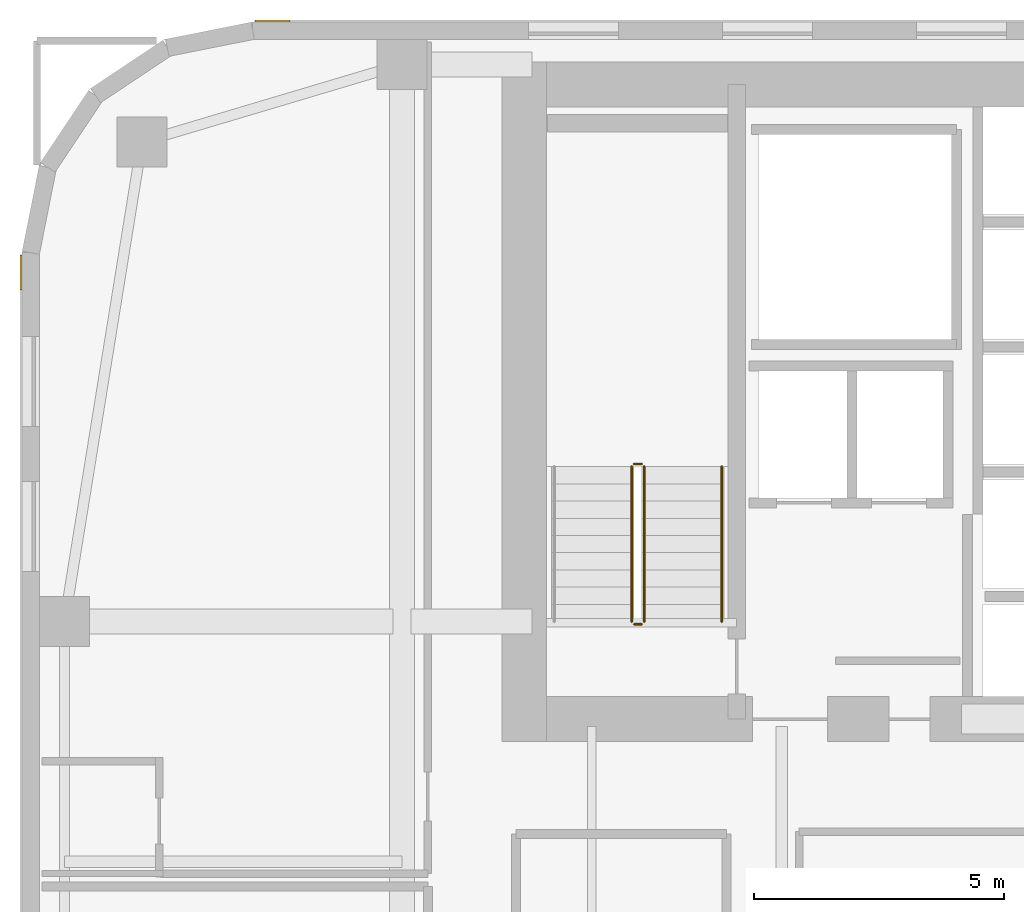
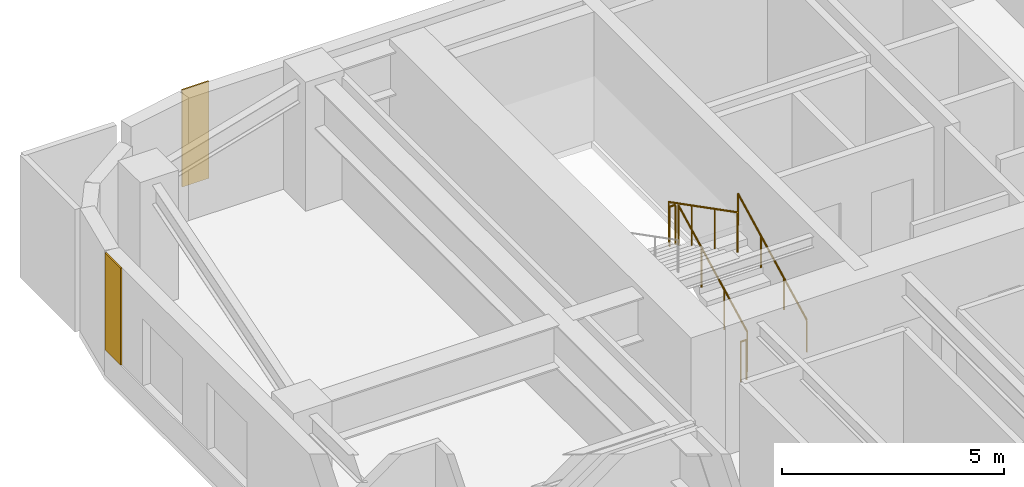
# One storey, part 23 of 25: 5 railings, 2 coverings.
"""IFC4 building model written with IfcOpenShell, lengths in metres."""

from ifc_helpers import new_model, si_unit, direction, frame, origin, origin_2d, place, context, subcontext, project, spatial, polyline, circle, outline, extrude, material, layer, layer_set, type_object, element, save


model = new_model("IFC4")

# Units and contexts
model_context = context("Model", 3, precision=1e-05, world=origin(), true_north=direction((0.0, 1.0)))
body_context = subcontext(model_context, "Body", "Model", "MODEL_VIEW")
ifc_project = project(units=[si_unit("LENGTHUNIT", "METRE"), si_unit("AREAUNIT", "SQUARE_METRE"), si_unit("VOLUMEUNIT", "CUBIC_METRE"), si_unit("PLANEANGLEUNIT", "RADIAN"), si_unit("MASSUNIT", "GRAM", prefix="KILO")], contexts=[model_context])

# Site, building, storey
site_placement = place(None, origin())
site = spatial("IfcSite", under=ifc_project, at=site_placement, CompositionType="ELEMENT")
building_placement = place(site_placement, origin())
building = spatial("IfcBuilding", under=site, at=building_placement, Name="Tolvann Quenvar Hotel", CompositionType="ELEMENT")
storey_placement = place(building_placement, frame((0.0, 0.0, 39.10009765625)))
storey = spatial("IfcBuildingStorey", under=building, at=storey_placement, Name="L08", CompositionType="ELEMENT", Elevation=39.10009765625)

# Coverings
ifc_material_1 = material(Name="Kiln-fired red architectural face brick cladding", Category="masonry")
ifc_layer = layer(ifc_material_1, 0.0400390625)
ifc_layer_set = layer_set([ifc_layer], Name="Kiln-fired red architectural face brick cladding")
covering_type = type_object("IfcCoveringType", Name="COV_CLAD_BRICK_40", PredefinedType="CLADDING", material=ifc_layer_set)
covering_1_placement = place(storey_placement, frame((0.0, 0.0, 0.699951171875)))
element("IfcCovering", 1, at=covering_1_placement, inside=storey, type_object=covering_type, Name="Brick Pier Cladding (L08-E18-P2)", PredefinedType="CLADDING", context=body_context, shape_type="SweptSolid", body=[
    extrude(outline(polyline([(5.3671875, 46.0), (4.667236328125, 46.0), (4.667236328125, 46.0400390625), (5.3671875, 46.0400390625), (5.3671875, 46.0)])), origin(), (0.0, 0.0, 1.0), 2.669921875),
])
covering_2_placement = place(storey_placement, frame((0.0, 0.0, 0.699951171875)))
element("IfcCovering", 2, at=covering_2_placement, inside=storey, type_object=covering_type, Name="Brick Pier Cladding (L08-E23-P1)", PredefinedType="CLADDING", context=body_context, shape_type="SweptSolid", body=[
    extrude(outline(polyline([(0.0, 41.332763671875), (0.0, 40.6328125), (-0.0400390625, 40.6328125), (-0.0400390625, 41.332763671875), (0.0, 41.332763671875)])), origin(), (0.0, 0.0, 1.0), 2.669921875),
])

# Railings
ifc_material_2 = material(Name="Brushed 316 stainless steel balustrade and handrail", Category="steel")
railing_type_1 = type_object("IfcRailingType", Name="GUARDRAIL", PredefinedType="GUARDRAIL", material=ifc_material_2)
railing_1_placement = place(storey_placement, frame((12.449951171875, 34.0, 0.177490234375)))
element("IfcRailing", 3, at=railing_1_placement, inside=storey, type_object=railing_type_1, Name="L08 ST-C1 stair guard 1", PredefinedType="GUARDRAIL", context=body_context, shape_type="SweptSolid", body=[
    extrude(circle(Radius=0.02392578125, at=origin_2d()), frame((0.0, 0.0, 1.09619140625), z_axis=(0.0, 0.889221982265, 0.45747597342), x_axis=(-1.0, 0.0, 0.0)), (0.0, 0.0, 1.0), 3.49169921875),
    extrude(circle(Radius=0.02099609375, at=origin_2d()), origin(), (0.0, 0.0, 1.0), 1.072021484375),
    extrude(circle(Radius=0.02099609375, at=origin_2d()), frame((0.0, 1.034912109375, 0.532470703125)), (0.0, 0.0, 1.0), 1.072021484375),
    extrude(circle(Radius=0.02099609375, at=origin_2d()), frame((0.0, 2.070068359375, 1.06494140625)), (0.0, 0.0, 1.0), 1.072021484375),
    extrude(circle(Radius=0.02099609375, at=origin_2d()), frame((0.0, 3.10498046875, 1.597412109375)), (0.0, 0.0, 1.0), 1.072021484375),
])
railing_2_placement = place(storey_placement, frame((12.39990234375, 37.155029296875, 1.77490234375)))
element("IfcRailing", 4, at=railing_2_placement, inside=storey, type_object=railing_type_1, Name="L08 ST-C1 stair guard 2", PredefinedType="GUARDRAIL", context=body_context, shape_type="SweptSolid", body=[
    extrude(circle(Radius=0.02392578125, at=origin_2d()), frame((0.0, 0.0, 1.09619140625), z_axis=(-1.0, 0.0, 0.0), x_axis=(0.0, -1.0, 0.0)), (0.0, 0.0, 1.0), 0.14990234375),
    extrude(circle(Radius=0.02099609375, at=origin_2d()), origin(), (0.0, 0.0, 1.0), 1.072021484375),
    extrude(circle(Radius=0.02099609375, at=origin_2d()), frame((-0.14990234375, 0.0, 0.0)), (0.0, 0.0, 1.0), 1.072021484375),
])
railing_3_placement = place(storey_placement, frame((12.199951171875, 37.10498046875, 1.952392578125)))
element("IfcRailing", 5, at=railing_3_placement, inside=storey, type_object=railing_type_1, Name="L08 ST-C1 stair guard 3", PredefinedType="GUARDRAIL", context=body_context, shape_type="SweptSolid", body=[
    extrude(circle(Radius=0.02392578125, at=origin_2d()), frame((0.0, 0.0, 1.09619140625), z_axis=(0.0, -0.889221982265, 0.45747597342), x_axis=(1.0, 0.0, 0.0)), (0.0, 0.0, 1.0), 3.49169921875),
    extrude(circle(Radius=0.02099609375, at=origin_2d()), origin(), (0.0, 0.0, 1.0), 1.072021484375),
    extrude(circle(Radius=0.02099609375, at=origin_2d()), frame((0.0, -1.034912109375, 0.532470703125)), (0.0, 0.0, 1.0), 1.072021484375),
    extrude(circle(Radius=0.02099609375, at=origin_2d()), frame((0.0, -2.070068359375, 1.06494140625)), (0.0, 0.0, 1.0), 1.072021484375),
    extrude(circle(Radius=0.02099609375, at=origin_2d()), frame((0.0, -3.10498046875, 1.597412109375)), (0.0, 0.0, 1.0), 1.072021484375),
])
railing_4_placement = place(storey_placement, frame((12.39990234375, 33.949951171875, 0.0)))
element("IfcRailing", 6, at=railing_4_placement, inside=storey, type_object=railing_type_1, Name="L08 ST-C1 stair guard 4", PredefinedType="GUARDRAIL", context=body_context, shape_type="SweptSolid", body=[
    extrude(circle(Radius=0.02392578125, at=origin_2d()), frame((0.0, 0.0, 1.09619140625), z_axis=(-1.0, 0.0, 0.0), x_axis=(0.0, -1.0, 0.0)), (0.0, 0.0, 1.0), 0.14990234375),
    extrude(circle(Radius=0.02099609375, at=origin_2d()), origin(), (0.0, 0.0, 1.0), 1.072021484375),
    extrude(circle(Radius=0.02099609375, at=origin_2d()), frame((-0.14990234375, 0.0, 0.0)), (0.0, 0.0, 1.0), 1.072021484375),
])
railing_type_2 = type_object("IfcRailingType", Name="HANDRAIL", PredefinedType="HANDRAIL", material=ifc_material_2)
railing_5_placement = place(storey_placement, frame((14.0, 34.0, 0.177490234375)))
element("IfcRailing", 7, at=railing_5_placement, inside=storey, type_object=railing_type_2, Name="L08 ST-C1 stair handrail 1", PredefinedType="HANDRAIL", context=body_context, shape_type="SweptSolid", body=[
    extrude(circle(Radius=0.02392578125, at=origin_2d()), frame((0.0, 0.0, 0.8759765625), z_axis=(0.0, 0.889221982265, 0.45747597342), x_axis=(-1.0, 0.0, 0.0)), (0.0, 0.0, 1.0), 3.49169921875),
    extrude(circle(Radius=0.02099609375, at=origin_2d()), origin(), (0.0, 0.0, 1.0), 0.851806640625),
    extrude(circle(Radius=0.02099609375, at=origin_2d()), frame((0.0, 1.034912109375, 0.532470703125)), (0.0, 0.0, 1.0), 0.851806640625),
    extrude(circle(Radius=0.02099609375, at=origin_2d()), frame((0.0, 2.070068359375, 1.06494140625)), (0.0, 0.0, 1.0), 0.851806640625),
    extrude(circle(Radius=0.02099609375, at=origin_2d()), frame((0.0, 3.10498046875, 1.597412109375)), (0.0, 0.0, 1.0), 0.851806640625),
])

save(model, "model.ifc")
